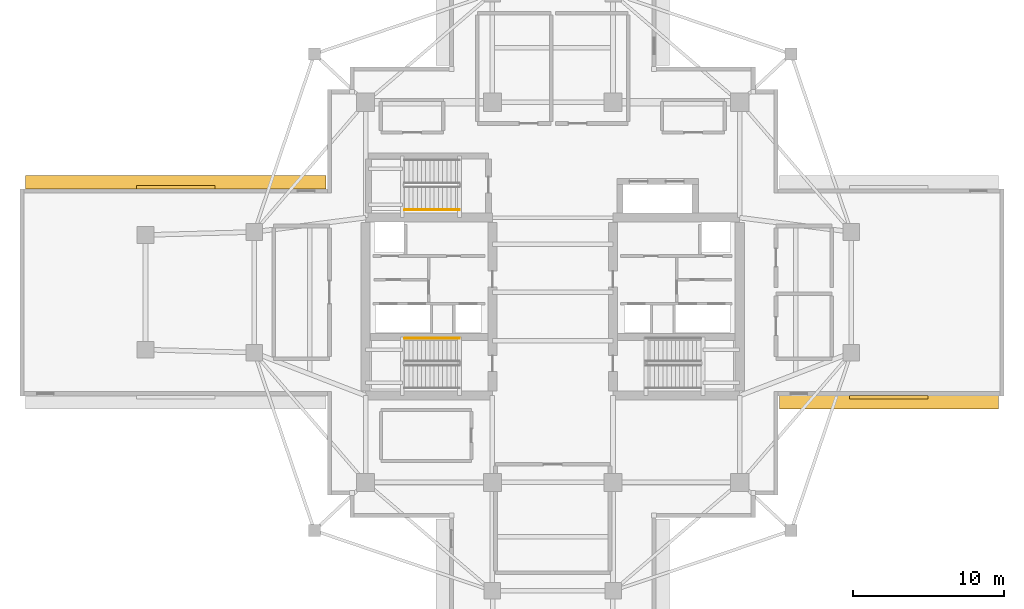
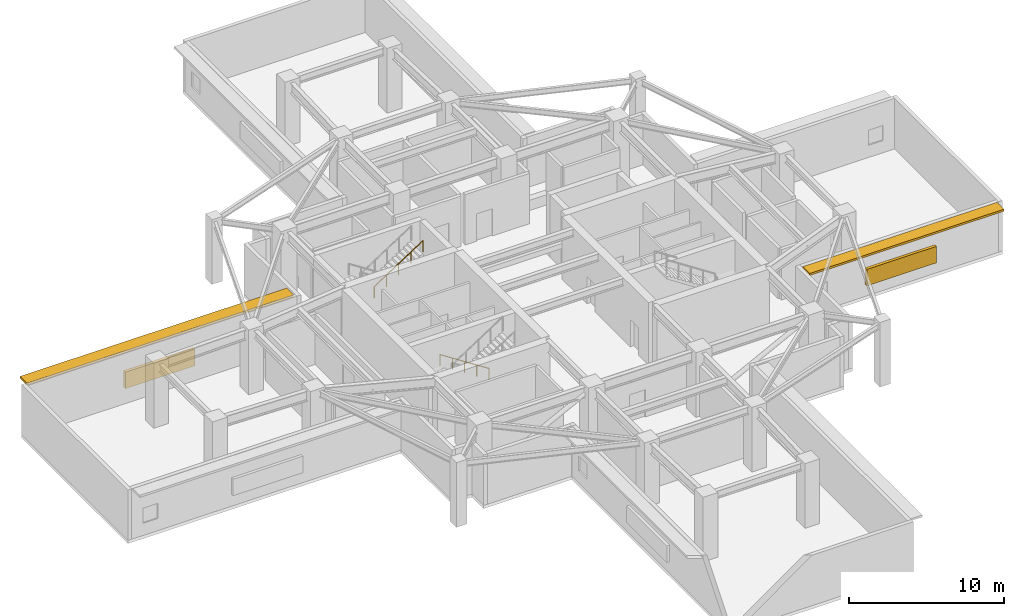
# One storey, part 9 of 11: 4 shading devices, 2 railings.
"""IFC4 building model written with IfcOpenShell, lengths in metres."""

import ifcopenshell
import ifcopenshell.guid

model = None  # the IFC model being written
_history = None  # IfcOwnerHistory: only IFC2X3 demands one
_inside = {}  # id of a spatial element -> (the spatial element, [elements in it])
_under = {}  # id of a project, library or spatial element -> (it, [spatial elements below it])
_declared = {}  # id of a project -> (the project, [libraries it declares])
_typed = {}  # id of a type object -> (the type object, [elements of that type])
_made_of = {}  # id of a material, layer set ... -> (it, [elements and type objects made of it])


def new_model(schema):
    """Start an empty IFC model of exactly this schema.

    Asked for "IFC4X3", IfcOpenShell would pick the latest addendum, in which some entities
    have other attributes; the version numbers below select the first issue.
    IFC2X3 requires an IfcOwnerHistory on every rooted entity: one is made here for all.
    """
    global model, _history
    if schema == "IFC4X3":
        model = ifcopenshell.file(schema_version=(4, 3, 0, 0))
    else:
        model = ifcopenshell.file(schema=schema)
    _inside.clear()
    _under.clear()
    _declared.clear()
    _typed.clear()
    _made_of.clear()
    _history = None
    if model.schema == "IFC2X3":
        org = make("IfcOrganization", Name="unknown")
        user = make(
            "IfcPersonAndOrganization",
            ThePerson=make("IfcPerson", FamilyName="unknown"),
            TheOrganization=org,
        )
        app = make(
            "IfcApplication",
            ApplicationDeveloper=org,
            Version="unknown",
            ApplicationFullName="unknown",
            ApplicationIdentifier="unknown",
        )
        _history = make(
            "IfcOwnerHistory",
            OwningUser=user,
            OwningApplication=app,
            ChangeAction="ADDED",
            CreationDate=0,
        )
    return model


def make(cls, **values):
    """One entity of the class cls with the attributes given. An attribute that is None is left unset."""
    return model.create_entity(
        cls, **{name: value for name, value in values.items() if value is not None}
    )


def rooted(cls, **values):
    """An entity with a GlobalId (a new one), such as an element, a storey or a relation."""
    return make(cls, GlobalId=ifcopenshell.guid.new(), OwnerHistory=_history, **values)


def si_unit(unit_type, name, prefix=None):
    """IfcSIUnit, for example si_unit("LENGTHUNIT", "METRE", prefix="MILLI")."""
    return make("IfcSIUnit", UnitType=unit_type, Prefix=prefix, Name=name)


def assignment(units):
    """IfcUnitAssignment: the units of a project."""
    return None if units is None else make("IfcUnitAssignment", Units=units)


def point(xyz):
    """IfcCartesianPoint."""
    return None if xyz is None else make("IfcCartesianPoint", Coordinates=xyz)


def direction(xyz):
    """IfcDirection."""
    return None if xyz is None else make("IfcDirection", DirectionRatios=xyz)


def frame(location, z_axis=None, x_axis=None):
    """IfcAxis2Placement3D, a coordinate frame: its origin and axes. An axis left out is left unset."""
    return make(
        "IfcAxis2Placement3D",
        Location=point(location),
        Axis=direction(z_axis),
        RefDirection=direction(x_axis),
    )


def frame_2d(location, x_axis=None):
    """IfcAxis2Placement2D, a coordinate frame in the plane: its origin and x axis."""
    return make(
        "IfcAxis2Placement2D", Location=point(location), RefDirection=direction(x_axis)
    )


def origin():
    """The frame at (0, 0, 0) with its axes left unset."""
    return frame((0.0, 0.0, 0.0))


def origin_2d():
    """The frame at (0, 0) in the plane with its x axis left unset."""
    return frame_2d((0.0, 0.0))


def place(relative_to, where):
    """IfcLocalPlacement: puts the frame where relative to a parent placement (None: the world)."""
    return make(
        "IfcLocalPlacement", PlacementRelTo=relative_to, RelativePlacement=where
    )


def context(
    kind, dimensions, precision=None, world=None, true_north=None, identifier=None
):
    """IfcGeometricRepresentationContext, for example the 3D "Model" context."""
    return make(
        "IfcGeometricRepresentationContext",
        ContextIdentifier=identifier,
        ContextType=kind,
        CoordinateSpaceDimension=dimensions,
        Precision=precision,
        WorldCoordinateSystem=world,
        TrueNorth=true_north,
    )


def subcontext(parent, identifier, kind, view, scale=None):
    """IfcGeometricRepresentationSubContext, for example "Body" below "Model"."""
    return make(
        "IfcGeometricRepresentationSubContext",
        ContextIdentifier=identifier,
        ContextType=kind,
        ParentContext=parent,
        TargetScale=scale,
        TargetView=view,
    )


def project(units=None, contexts=None):
    """IfcProject with its units and contexts."""
    return rooted(
        "IfcProject",
        Name="project",
        RepresentationContexts=contexts,
        UnitsInContext=assignment(units),
    )


def spatial(cls, under=None, at=None, **own):
    """A site, building, storey or space (cls), placed at a placement, below another one or the project."""
    s = rooted(cls, ObjectPlacement=at, **own)
    if under is not None:
        _under.setdefault(under.id(), (under, []))[1].append(s)
    return s


def profile(cls, at=None, kind="AREA", **sizes):
    """A parametric profile (cls). Its sizes go by their IFC names, for example OverallWidth=200.0."""
    return make(cls, ProfileType=kind, Position=at, **sizes)


def rectangle(**sizes):
    """IfcRectangleProfileDef."""
    return profile("IfcRectangleProfileDef", **sizes)


def circle(**sizes):
    """IfcCircleProfileDef."""
    return profile("IfcCircleProfileDef", **sizes)


def extrude(swept, where, along, depth):
    """IfcExtrudedAreaSolid: the profile swept, set in the frame where, extruded along a direction by depth."""
    return make(
        "IfcExtrudedAreaSolid",
        SweptArea=swept,
        Position=where,
        ExtrudedDirection=direction(along),
        Depth=depth,
    )


def shape(context_of_items, identifier, shape_type, items):
    """IfcShapeRepresentation: the items that make up one representation, for example the "Body"."""
    return make(
        "IfcShapeRepresentation",
        ContextOfItems=context_of_items,
        RepresentationIdentifier=identifier,
        RepresentationType=shape_type,
        Items=items,
    )


def material(Name=None, Category=None):
    """IfcMaterial."""
    return make("IfcMaterial", Name=Name, Category=Category)


def layer(
    of_material, thickness, ventilated=None, Name=None, Category=None, Priority=None
):
    """IfcMaterialLayer: one layer of a wall or slab, of a material (None: an air gap)."""
    return make(
        "IfcMaterialLayer",
        Material=of_material,
        LayerThickness=thickness,
        IsVentilated=ventilated,
        Name=Name,
        Category=Category,
        Priority=Priority,
    )


def layer_set(layers, Name=None):
    """IfcMaterialLayerSet."""
    return make("IfcMaterialLayerSet", MaterialLayers=layers, LayerSetName=Name)


def made_of(thing, what):
    """Note that an element or type object is made of a material, layer set ...; save() writes the relation."""
    if what is not None:
        _made_of.setdefault(what.id(), (what, []))[1].append(thing)
    return thing


def type_object(cls, material=None, **own):
    """A type object (cls), such as IfcWallType, which elements share."""
    return made_of(rooted(cls, **own), material)


def element(
    cls,
    number,
    at=None,
    inside=None,
    cuts=None,
    type_object=None,
    material=None,
    context=None,
    identifier="Body",
    shape_type=None,
    held_by="IfcProductDefinitionShape",
    body=None,
    shapes=None,
    **own,
):
    """One element of the class cls, such as IfcWall. Its Tag is "e" and its number.

    at: its placement. inside: the storey or other place that contains it. cuts: it is an
    opening in that element (IfcRelVoidsElement). A single representation is given by context,
    identifier, shape_type and body (its items); several are given by shapes. held_by: the class
    of the entity that holds the representations. save() writes the other relations.
    """
    e = rooted(cls, Tag="e%d" % number, ObjectPlacement=at, **own)
    if body is not None:
        shapes = [shape(context, identifier, shape_type, body)]
    if shapes is not None:
        e.Representation = make(held_by, Representations=shapes)
    if inside is not None:
        _inside.setdefault(inside.id(), (inside, []))[1].append(e)
    if cuts is not None:
        rooted(
            "IfcRelVoidsElement", RelatingBuildingElement=cuts, RelatedOpeningElement=e
        )
    if type_object is not None:
        _typed.setdefault(type_object.id(), (type_object, []))[1].append(e)
    return made_of(e, material)


def aggregate(whole, parts):
    """IfcRelAggregates: a whole, such as a stair, and the parts it consists of."""
    return rooted("IfcRelAggregates", RelatingObject=whole, RelatedObjects=parts)


def save(model, path):
    """Write the relations noted so far, then the file.

    IfcRelAggregates (storeys below a building ...), IfcRelContainedInSpatialStructure (elements
    in a storey), IfcRelDefinesByType, IfcRelAssociatesMaterial and IfcRelDeclares: one each for
    every whole, place, type object, material and project.
    """
    for whole, parts in _under.values():
        aggregate(whole, parts)
    for where, things in _inside.values():
        rooted(
            "IfcRelContainedInSpatialStructure",
            RelatedElements=things,
            RelatingStructure=where,
        )
    for kind, things in _typed.values():
        rooted("IfcRelDefinesByType", RelatedObjects=things, RelatingType=kind)
    for what, things in _made_of.values():
        rooted("IfcRelAssociatesMaterial", RelatedObjects=things, RelatingMaterial=what)
    for by, libraries in _declared.values():
        rooted("IfcRelDeclares", RelatingContext=by, RelatedDefinitions=libraries)
    model.write(path)


model = new_model("IFC4")

# Units and contexts
model_context = context("Model", 3, precision=1e-05, world=origin(), true_north=direction((0.0, 1.0)))
body_context = subcontext(model_context, "Body", "Model", "MODEL_VIEW")
ifc_project = project(units=[si_unit("LENGTHUNIT", "METRE"), si_unit("AREAUNIT", "SQUARE_METRE"), si_unit("VOLUMEUNIT", "CUBIC_METRE"), si_unit("PLANEANGLEUNIT", "RADIAN"), si_unit("MASSUNIT", "GRAM", prefix="KILO")], contexts=[model_context])

# Site, building, storey
site_placement = place(None, origin())
site = spatial("IfcSite", under=ifc_project, at=site_placement, CompositionType="ELEMENT")
building_placement = place(site_placement, origin())
building = spatial("IfcBuilding", under=site, at=building_placement, Name="Qingluan Cross Belvedere", CompositionType="ELEMENT")
storey_placement = place(building_placement, frame((0.0, 0.0, 143.699951171875)))
storey = spatial("IfcBuildingStorey", under=building, at=storey_placement, Name="L36", CompositionType="ELEMENT", Elevation=143.699951171875)

# Shading devices
ifc_material_1 = material(Name="Precast concrete C45", Category="concrete")
ifc_layer_1 = layer(ifc_material_1, 0.159912109375, Name="ConcreteSunshadeBand_900")
ifc_layer_set_1 = layer_set([ifc_layer_1], Name="Precast concrete C45")
shading_device_type_1 = type_object("IfcShadingDeviceType", Name="ConcreteSunshadeBand_900", PredefinedType="USERDEFINED", material=ifc_layer_set_1)
shading_device_1_placement = place(storey_placement, frame((22.2900390625, -7.2900390625, 3.80029296875), z_axis=(0.0, 0.0, 1.0), x_axis=(1.0, 0.0, 0.0)))
element("IfcShadingDevice", 1, at=shading_device_1_placement, inside=storey, type_object=shading_device_type_1, Name="Concrete SUNSHADE L36-EA", ObjectType="SUNSHADE", PredefinedType="USERDEFINED", context=body_context, shape_type="SweptSolid", body=[
    extrude(rectangle(XDim=14.5, YDim=0.89990234375, at=origin_2d()), origin(), (0.0, 0.0, 1.0), 0.159912109375),
])
shading_device_2_placement = place(storey_placement, frame((-24.989990234375, 7.2900390625, 3.80029296875), z_axis=(0.0, 0.0, 1.0), x_axis=(-1.0, 0.0, 0.0)))
element("IfcShadingDevice", 2, at=shading_device_2_placement, inside=storey, type_object=shading_device_type_1, Name="Concrete SUNSHADE L36-WA", ObjectType="SUNSHADE", PredefinedType="USERDEFINED", context=body_context, shape_type="SweptSolid", body=[
    extrude(rectangle(XDim=19.89990234375, YDim=0.89990234375, at=origin_2d()), origin(), (0.0, 0.0, 1.0), 0.159912109375),
])
ifc_material_2 = material(Name="Anodised aluminium acoustic louvre screen", Category="aluminium")
ifc_layer_2 = layer(ifc_material_2, 0.219970703125, Name="RefugeAcousticLouvre_Screen")
ifc_layer_set_2 = layer_set([ifc_layer_2], Name="Anodised aluminium acoustic louvre screen")
shading_device_type_2 = type_object("IfcShadingDeviceType", Name="RefugeAcousticLouvre_Screen", PredefinedType="JALOUSIE", material=ifc_layer_set_2)
for number, where, z_axis, x_axis, name in (
    (3, (22.2900390625, -6.9599609375, 0.9501953125), (0.0, 0.0, 1.0), (1.0, 0.0, 0.0), "Plant acoustic louvre SCREEN L36-EA"),
    (4, (-24.989990234375, 6.9599609375, 0.9501953125), (0.0, 0.0, 1.0), (-1.0, 0.0, 0.0), "Plant acoustic louvre SCREEN L36-WA"),
):
    element("IfcShadingDevice", number, at=place(storey_placement, frame(where, z_axis=z_axis, x_axis=x_axis)), inside=storey, type_object=shading_device_type_2, Name=name, PredefinedType="JALOUSIE", context=body_context, shape_type="SweptSolid", body=[
        extrude(rectangle(XDim=5.199951171875, YDim=0.219970703125, at=origin_2d()), origin(), (0.0, 0.0, 1.0), 1.300048828125),
    ])

# Railings
ifc_material_3 = material(Name="Brushed stainless steel tubular handrail", Category="steel")
railing_type = type_object("IfcRailingType", Name="StairPitchHandrail_900", PredefinedType="HANDRAIL", material=ifc_material_3)
railing_1_placement = place(storey_placement, frame((-6.179931640625, -3.050048828125, 0.18212890625)))
element("IfcRailing", 5, at=railing_1_placement, inside=storey, type_object=railing_type, Name="L36 ST1 stair handrail 1", PredefinedType="HANDRAIL", context=body_context, shape_type="SweptSolid", body=[
    extrude(circle(Radius=0.02392578125, at=origin_2d()), frame((0.0, 0.0, 0.8759765625), z_axis=(-0.83825089185, 0.0, 0.545284735081), x_axis=(0.0, -1.0, 0.0)), (0.0, 0.0, 1.0), 4.342529296875),
    extrude(circle(Radius=0.02099609375, at=origin_2d()), origin(), (0.0, 0.0, 1.0), 0.851806640625),
    extrude(circle(Radius=0.02099609375, at=origin_2d()), frame((-0.91015625, 0.0, 0.592041015625)), (0.0, 0.0, 1.0), 0.851806640625),
    extrude(circle(Radius=0.02099609375, at=origin_2d()), frame((-1.820068359375, 0.0, 1.18408203125)), (0.0, 0.0, 1.0), 0.851806640625),
    extrude(circle(Radius=0.02099609375, at=origin_2d()), frame((-2.72998046875, 0.0, 1.77587890625)), (0.0, 0.0, 1.0), 0.851806640625),
    extrude(circle(Radius=0.02099609375, at=origin_2d()), frame((-3.64013671875, 0.0, 2.367919921875)), (0.0, 0.0, 1.0), 0.851806640625),
])
railing_2_placement = place(storey_placement, frame((-9.820068359375, 5.469970703125, 2.732177734375)))
element("IfcRailing", 6, at=railing_2_placement, inside=storey, type_object=railing_type, Name="L36 ST3 stair handrail 2", PredefinedType="HANDRAIL", context=body_context, shape_type="SweptSolid", body=[
    extrude(circle(Radius=0.02392578125, at=origin_2d()), frame((0.0, 0.0, 0.8759765625), z_axis=(0.83825089185, 0.0, 0.545284735081), x_axis=(0.0, 1.0, 0.0)), (0.0, 0.0, 1.0), 4.342529296875),
    extrude(circle(Radius=0.02099609375, at=origin_2d()), origin(), (0.0, 0.0, 1.0), 0.851806640625),
    extrude(circle(Radius=0.02099609375, at=origin_2d()), frame((0.91015625, 0.0, 0.592041015625)), (0.0, 0.0, 1.0), 0.851806640625),
    extrude(circle(Radius=0.02099609375, at=origin_2d()), frame((1.820068359375, 0.0, 1.18408203125)), (0.0, 0.0, 1.0), 0.851806640625),
    extrude(circle(Radius=0.02099609375, at=origin_2d()), frame((2.72998046875, 0.0, 1.77587890625)), (0.0, 0.0, 1.0), 0.851806640625),
    extrude(circle(Radius=0.02099609375, at=origin_2d()), frame((3.64013671875, 0.0, 2.367919921875)), (0.0, 0.0, 1.0), 0.851806640625),
])

save(model, "model.ifc")
